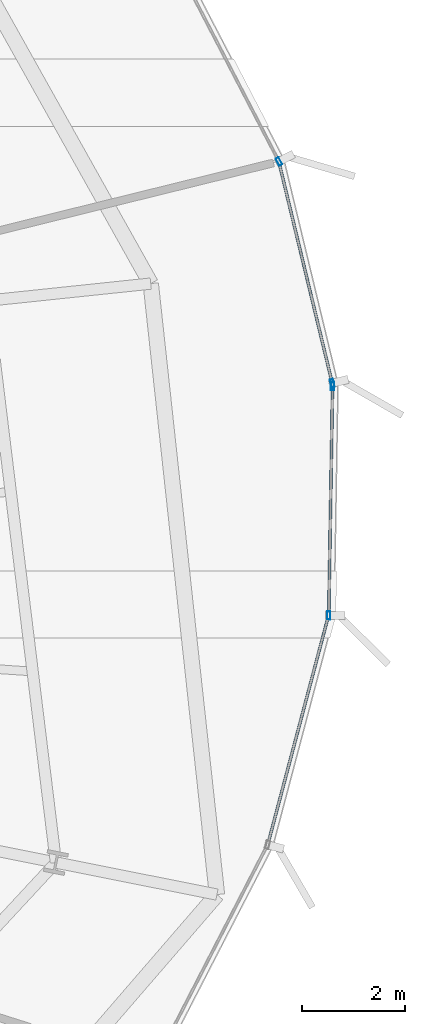
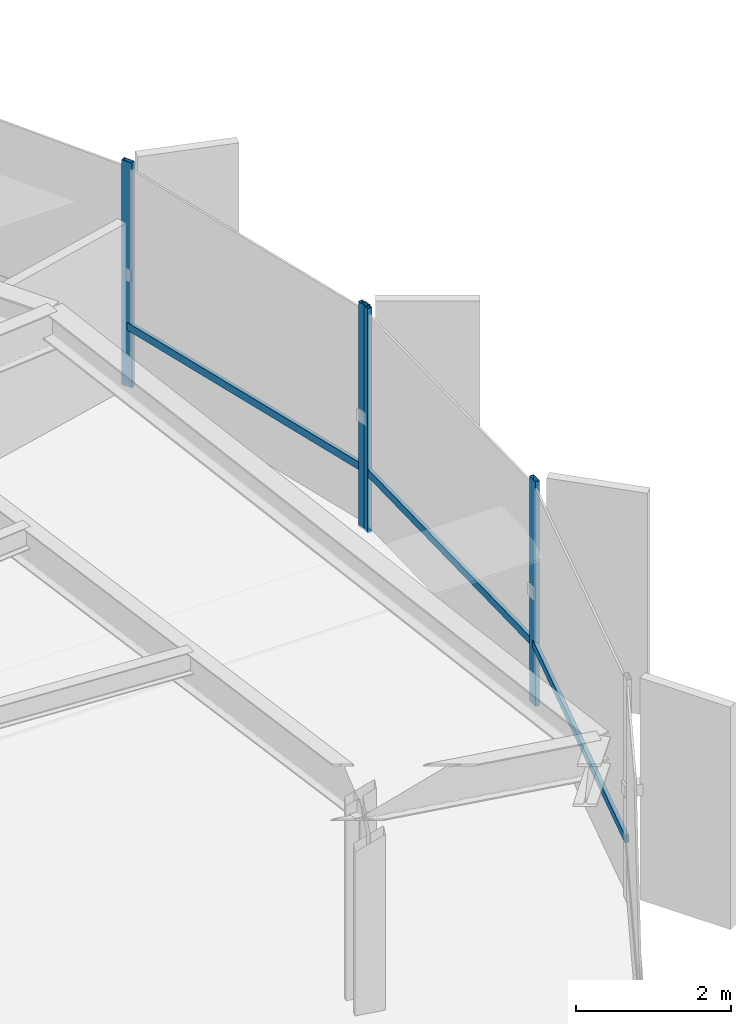
# One storey, part 28 of 37: 7 members, 2 elements without a shape of their own.
"""IFC4 building model written with IfcOpenShell, lengths in metres."""

from ifc_helpers import new_model, si_unit, direction, frame, origin, origin_2d, place, context, subcontext, project, spatial, hollow_rectangle, extrude, source, transform, mapped, material, layer, layer_set, material_profile, profile_set, type_object, element, aggregate, save


model = new_model("IFC4")

# Units and contexts
model_context = context("Model", 3, precision=1e-05, world=origin(), true_north=direction((0.0, 1.0)))
body_context = subcontext(model_context, "Body", "Model", "MODEL_VIEW")
ifc_project = project(units=[si_unit("LENGTHUNIT", "METRE"), si_unit("AREAUNIT", "SQUARE_METRE"), si_unit("VOLUMEUNIT", "CUBIC_METRE"), si_unit("PLANEANGLEUNIT", "RADIAN"), si_unit("MASSUNIT", "GRAM", prefix="KILO"), si_unit("THERMODYNAMICTEMPERATUREUNIT", "KELVIN")], contexts=[model_context])

# Site, building, storey
site_placement = place(None, origin())
site = spatial("IfcSite", under=ifc_project, at=site_placement, CompositionType="ELEMENT")
building_placement = place(site_placement, origin())
building = spatial("IfcBuilding", under=site, at=building_placement, Name="Kethvar Cultural Tower", CompositionType="ELEMENT")
storey_placement = place(building_placement, frame((0.0, 0.0, 56.199951171875)))
storey = spatial("IfcBuildingStorey", under=building, at=storey_placement, Name="L13", CompositionType="ELEMENT", Elevation=56.199951171875)

# Curtain wall, members
ifc_material = material(Name="Aluminium 6063-T6", Category="aluminium")
ifc_layer = layer(ifc_material, 0.179931640625, Name="Aluminium 6063-T6", Category="aluminium")
ifc_layer_set = layer_set([ifc_layer], Name="Aluminium 6063-T6 (180 mm)")
curtain_wall_type = type_object("IfcCurtainWallType", Name="CW-SYS-02-Z1", PredefinedType="NOTDEFINED", material=ifc_layer_set)
curtain_wall_1_placement = place(storey_placement, origin())
curtain_wall_1 = element("IfcCurtainWall", 1, at=curtain_wall_1_placement, inside=storey, type_object=curtain_wall_type, Name="L13 Curtain Wall Run 01", PredefinedType="NOTDEFINED")
ifc_material_profile_1 = material_profile(ifc_material, hollow_rectangle(XDim=0.06494140625, YDim=0.159912109375, WallThickness=0.0048828125, at=origin_2d()), Name="Aluminium 6063-T6 — RHS160x65x5")
ifc_profile_set_1 = profile_set([ifc_material_profile_1], Name="Aluminium 6063-T6 — RHS160x65x5")
member_type_1 = type_object("IfcMemberType", Name="CW-SYS-02-Z1-MUL", PredefinedType="MULLION", material=ifc_profile_set_1)
shared_shape_1 = source(origin(), body_context, "Body", "SweptSolid", [
    extrude(hollow_rectangle(XDim=0.06494140625, YDim=0.159912109375, WallThickness=0.0048828125, at=origin_2d()), origin(), (0.0, 0.0, 1.0), 3.550048828125),
])
member_1_placement = place(storey_placement, frame((80.376708984375, 31.533935546875, 0.0), z_axis=(0.0, 0.0, 1.0), x_axis=(-0.972153561733, -0.234344729854, 0.0)))
member_1 = element("IfcMember", 2, at=member_1_placement, type_object=member_type_1, Name="CW-L13-R01 Mullion 1", PredefinedType="MULLION", context=body_context, shape_type="MappedRepresentation", body=[
    mapped(shared_shape_1, transform((0.0, 0.0, 0.0), scale=1.0)),
])
member_2_placement = place(storey_placement, frame((79.339111328125, 35.85400390625, 0.0), z_axis=(0.0, 0.0, 1.0), x_axis=(-0.887389309281, -0.461020838763, 0.0)))
member_2 = element("IfcMember", 3, at=member_2_placement, type_object=member_type_1, Name="CW-L13-R01 Mullion 2", PredefinedType="MULLION", context=body_context, shape_type="MappedRepresentation", body=[
    mapped(shared_shape_1, transform((0.0, 0.0, 0.0), scale=1.0)),
])

curtain_wall_2_placement = place(storey_placement, origin())
curtain_wall_2 = element("IfcCurtainWall", 4, at=curtain_wall_2_placement, inside=storey, type_object=curtain_wall_type, Name="L13 Curtain Wall Run 07", PredefinedType="NOTDEFINED")
member_3_placement = place(storey_placement, frame((80.308349609375, 27.00927734375, 0.0), z_axis=(0.0, 0.0, 1.0), x_axis=(-0.999861675048, 0.016632220845, 0.0)))
member_3 = element("IfcMember", 5, at=member_3_placement, type_object=member_type_1, Name="CW-L13-R07 Mullion 4", PredefinedType="MULLION", context=body_context, shape_type="MappedRepresentation", body=[
    mapped(shared_shape_1, transform((0.0, 0.0, 0.0), scale=1.0)),
])
member_4_placement = place(storey_placement, frame((80.3828125, 31.480712890625, 0.0), z_axis=(0.0, 0.0, 1.0), x_axis=(-0.999861675048, 0.016632220845, 0.0)))
member_4 = element("IfcMember", 6, at=member_4_placement, type_object=member_type_1, Name="CW-L13-R07 Mullion 5", PredefinedType="MULLION", context=body_context, shape_type="MappedRepresentation", body=[
    mapped(shared_shape_1, transform((0.0, 0.0, 0.0), scale=1.0)),
])

# Member
ifc_material_profile_2 = material_profile(ifc_material, hollow_rectangle(XDim=0.054931640625, YDim=0.1201171875, WallThickness=0.00390625, at=origin_2d()), Name="Aluminium 6063-T6 — RHS120x55x4")
ifc_profile_set_2 = profile_set([ifc_material_profile_2], Name="Aluminium 6063-T6 — RHS120x55x4")
member_type_2 = type_object("IfcMemberType", Name="CW-SYS-02-Z1-TRN", PredefinedType="USERDEFINED", material=ifc_profile_set_2)
shared_shape_2 = source(origin(), body_context, "Body", "SweptSolid", [
    extrude(hollow_rectangle(XDim=0.054931640625, YDim=0.1201171875, WallThickness=0.00390625, at=origin_2d()), origin(), (0.0, 0.0, 1.0), 4.42041015625),
])
member_5_placement = place(storey_placement, frame((80.375732421875, 31.538330078125, 0.949951171875), z_axis=(-0.234339984972, 0.972154705509, 0.0), x_axis=(-0.972154705509, -0.234339984972, 0.0)))
member_5 = element("IfcMember", 7, at=member_5_placement, type_object=member_type_2, Name="CW-L13-R01 Transom 1", ObjectType="TRANSOM", PredefinedType="USERDEFINED", context=body_context, shape_type="MappedRepresentation", body=[
    mapped(shared_shape_2, transform((0.0, 0.0, 0.0), scale=1.0)),
])

aggregate(curtain_wall_1, [member_1, member_2, member_5])

shared_shape_3 = source(origin(), body_context, "Body", "SweptSolid", [
    extrude(hollow_rectangle(XDim=0.054931640625, YDim=0.1201171875, WallThickness=0.00390625, at=origin_2d()), origin(), (0.0, 0.0, 1.0), 4.56201171875),
])
member_6_placement = place(storey_placement, frame((79.130859375, 22.5830078125, 0.949951171875), z_axis=(0.256336746557, 0.966587539939, 0.0), x_axis=(-0.966587539939, 0.256336746557, 0.0)))
member_6 = element("IfcMember", 8, at=member_6_placement, type_object=member_type_2, Name="CW-L13-R07 Transom 3", ObjectType="TRANSOM", PredefinedType="USERDEFINED", context=body_context, shape_type="MappedRepresentation", body=[
    mapped(shared_shape_3, transform((0.0, 0.0, 0.0), scale=1.0)),
])

shared_shape_4 = source(origin(), body_context, "Body", "SweptSolid", [
    extrude(hollow_rectangle(XDim=0.054931640625, YDim=0.1201171875, WallThickness=0.00390625, at=origin_2d()), origin(), (0.0, 0.0, 1.0), 4.4208984375),
])
member_7_placement = place(storey_placement, frame((80.30908203125, 27.055908203125, 0.949951171875), z_axis=(0.016622944525, 0.999861829312, 0.0), x_axis=(-0.999861829312, 0.016622944525, 0.0)))
member_7 = element("IfcMember", 9, at=member_7_placement, type_object=member_type_2, Name="CW-L13-R07 Transom 4", ObjectType="TRANSOM", PredefinedType="USERDEFINED", context=body_context, shape_type="MappedRepresentation", body=[
    mapped(shared_shape_4, transform((0.0, 0.0, 0.0), scale=1.0)),
])

aggregate(curtain_wall_2, [member_3, member_4, member_6, member_7])

save(model, "model.ifc")
